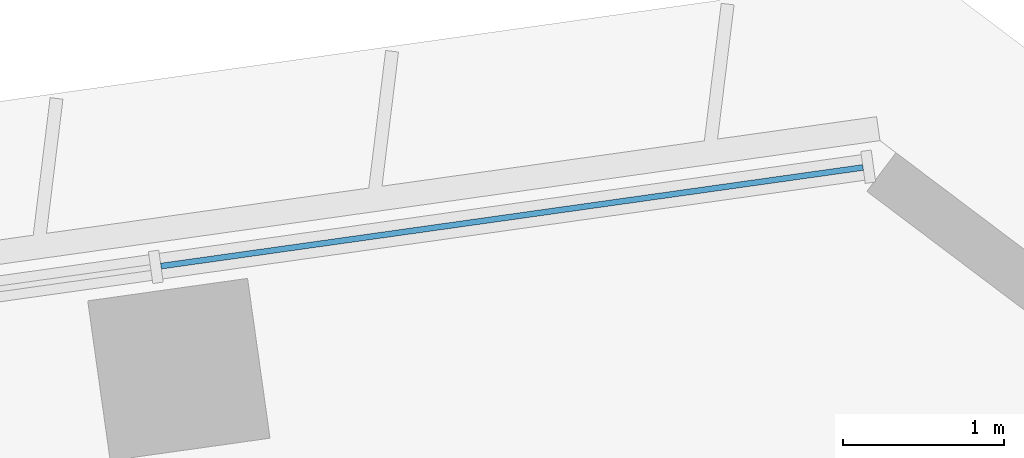
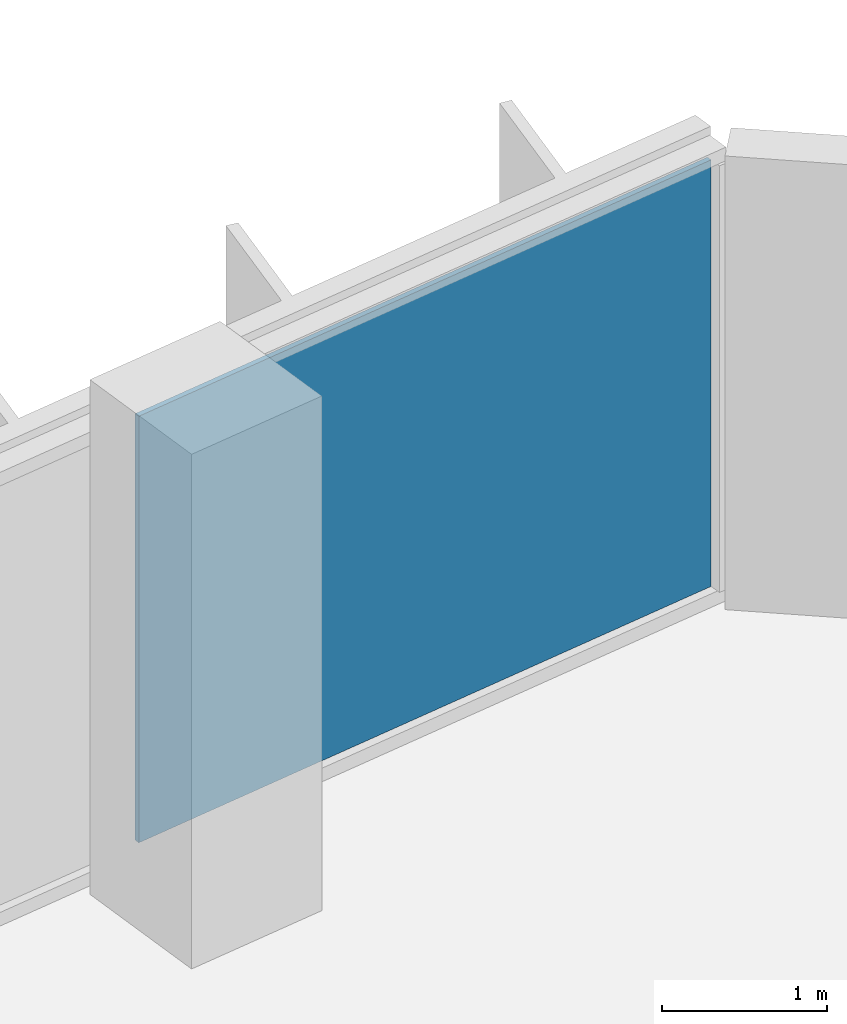
# One storey, part 13 of 24: 1 plate, 1 element without a shape of its own.
"""IFC4 building model written with IfcOpenShell, lengths in metres."""

import ifcopenshell
import ifcopenshell.guid

model = None  # the IFC model being written
_history = None  # IfcOwnerHistory: only IFC2X3 demands one
_inside = {}  # id of a spatial element -> (the spatial element, [elements in it])
_under = {}  # id of a project, library or spatial element -> (it, [spatial elements below it])
_declared = {}  # id of a project -> (the project, [libraries it declares])
_typed = {}  # id of a type object -> (the type object, [elements of that type])
_made_of = {}  # id of a material, layer set ... -> (it, [elements and type objects made of it])


def new_model(schema):
    """Start an empty IFC model of exactly this schema.

    Asked for "IFC4X3", IfcOpenShell would pick the latest addendum, in which some entities
    have other attributes; the version numbers below select the first issue.
    IFC2X3 requires an IfcOwnerHistory on every rooted entity: one is made here for all.
    """
    global model, _history
    if schema == "IFC4X3":
        model = ifcopenshell.file(schema_version=(4, 3, 0, 0))
    else:
        model = ifcopenshell.file(schema=schema)
    _inside.clear()
    _under.clear()
    _declared.clear()
    _typed.clear()
    _made_of.clear()
    _history = None
    if model.schema == "IFC2X3":
        org = make("IfcOrganization", Name="unknown")
        user = make(
            "IfcPersonAndOrganization",
            ThePerson=make("IfcPerson", FamilyName="unknown"),
            TheOrganization=org,
        )
        app = make(
            "IfcApplication",
            ApplicationDeveloper=org,
            Version="unknown",
            ApplicationFullName="unknown",
            ApplicationIdentifier="unknown",
        )
        _history = make(
            "IfcOwnerHistory",
            OwningUser=user,
            OwningApplication=app,
            ChangeAction="ADDED",
            CreationDate=0,
        )
    return model


def make(cls, **values):
    """One entity of the class cls with the attributes given. An attribute that is None is left unset."""
    return model.create_entity(
        cls, **{name: value for name, value in values.items() if value is not None}
    )


def rooted(cls, **values):
    """An entity with a GlobalId (a new one), such as an element, a storey or a relation."""
    return make(cls, GlobalId=ifcopenshell.guid.new(), OwnerHistory=_history, **values)


def si_unit(unit_type, name, prefix=None):
    """IfcSIUnit, for example si_unit("LENGTHUNIT", "METRE", prefix="MILLI")."""
    return make("IfcSIUnit", UnitType=unit_type, Prefix=prefix, Name=name)


def assignment(units):
    """IfcUnitAssignment: the units of a project."""
    return None if units is None else make("IfcUnitAssignment", Units=units)


def point(xyz):
    """IfcCartesianPoint."""
    return None if xyz is None else make("IfcCartesianPoint", Coordinates=xyz)


def direction(xyz):
    """IfcDirection."""
    return None if xyz is None else make("IfcDirection", DirectionRatios=xyz)


def frame(location, z_axis=None, x_axis=None):
    """IfcAxis2Placement3D, a coordinate frame: its origin and axes. An axis left out is left unset."""
    return make(
        "IfcAxis2Placement3D",
        Location=point(location),
        Axis=direction(z_axis),
        RefDirection=direction(x_axis),
    )


def frame_2d(location, x_axis=None):
    """IfcAxis2Placement2D, a coordinate frame in the plane: its origin and x axis."""
    return make(
        "IfcAxis2Placement2D", Location=point(location), RefDirection=direction(x_axis)
    )


def origin():
    """The frame at (0, 0, 0) with its axes left unset."""
    return frame((0.0, 0.0, 0.0))


def origin_2d():
    """The frame at (0, 0) in the plane with its x axis left unset."""
    return frame_2d((0.0, 0.0))


def place(relative_to, where):
    """IfcLocalPlacement: puts the frame where relative to a parent placement (None: the world)."""
    return make(
        "IfcLocalPlacement", PlacementRelTo=relative_to, RelativePlacement=where
    )


def context(
    kind, dimensions, precision=None, world=None, true_north=None, identifier=None
):
    """IfcGeometricRepresentationContext, for example the 3D "Model" context."""
    return make(
        "IfcGeometricRepresentationContext",
        ContextIdentifier=identifier,
        ContextType=kind,
        CoordinateSpaceDimension=dimensions,
        Precision=precision,
        WorldCoordinateSystem=world,
        TrueNorth=true_north,
    )


def subcontext(parent, identifier, kind, view, scale=None):
    """IfcGeometricRepresentationSubContext, for example "Body" below "Model"."""
    return make(
        "IfcGeometricRepresentationSubContext",
        ContextIdentifier=identifier,
        ContextType=kind,
        ParentContext=parent,
        TargetScale=scale,
        TargetView=view,
    )


def project(units=None, contexts=None):
    """IfcProject with its units and contexts."""
    return rooted(
        "IfcProject",
        Name="project",
        RepresentationContexts=contexts,
        UnitsInContext=assignment(units),
    )


def spatial(cls, under=None, at=None, **own):
    """A site, building, storey or space (cls), placed at a placement, below another one or the project."""
    s = rooted(cls, ObjectPlacement=at, **own)
    if under is not None:
        _under.setdefault(under.id(), (under, []))[1].append(s)
    return s


def profile(cls, at=None, kind="AREA", **sizes):
    """A parametric profile (cls). Its sizes go by their IFC names, for example OverallWidth=200.0."""
    return make(cls, ProfileType=kind, Position=at, **sizes)


def rectangle(**sizes):
    """IfcRectangleProfileDef."""
    return profile("IfcRectangleProfileDef", **sizes)


def extrude(swept, where, along, depth):
    """IfcExtrudedAreaSolid: the profile swept, set in the frame where, extruded along a direction by depth."""
    return make(
        "IfcExtrudedAreaSolid",
        SweptArea=swept,
        Position=where,
        ExtrudedDirection=direction(along),
        Depth=depth,
    )


def shape(context_of_items, identifier, shape_type, items):
    """IfcShapeRepresentation: the items that make up one representation, for example the "Body"."""
    return make(
        "IfcShapeRepresentation",
        ContextOfItems=context_of_items,
        RepresentationIdentifier=identifier,
        RepresentationType=shape_type,
        Items=items,
    )


def material(Name=None, Category=None):
    """IfcMaterial."""
    return make("IfcMaterial", Name=Name, Category=Category)


def layer(
    of_material, thickness, ventilated=None, Name=None, Category=None, Priority=None
):
    """IfcMaterialLayer: one layer of a wall or slab, of a material (None: an air gap)."""
    return make(
        "IfcMaterialLayer",
        Material=of_material,
        LayerThickness=thickness,
        IsVentilated=ventilated,
        Name=Name,
        Category=Category,
        Priority=Priority,
    )


def layer_set(layers, Name=None):
    """IfcMaterialLayerSet."""
    return make("IfcMaterialLayerSet", MaterialLayers=layers, LayerSetName=Name)


def made_of(thing, what):
    """Note that an element or type object is made of a material, layer set ...; save() writes the relation."""
    if what is not None:
        _made_of.setdefault(what.id(), (what, []))[1].append(thing)
    return thing


def type_object(cls, material=None, **own):
    """A type object (cls), such as IfcWallType, which elements share."""
    return made_of(rooted(cls, **own), material)


def element(
    cls,
    number,
    at=None,
    inside=None,
    cuts=None,
    type_object=None,
    material=None,
    context=None,
    identifier="Body",
    shape_type=None,
    held_by="IfcProductDefinitionShape",
    body=None,
    shapes=None,
    **own,
):
    """One element of the class cls, such as IfcWall. Its Tag is "e" and its number.

    at: its placement. inside: the storey or other place that contains it. cuts: it is an
    opening in that element (IfcRelVoidsElement). A single representation is given by context,
    identifier, shape_type and body (its items); several are given by shapes. held_by: the class
    of the entity that holds the representations. save() writes the other relations.
    """
    e = rooted(cls, Tag="e%d" % number, ObjectPlacement=at, **own)
    if body is not None:
        shapes = [shape(context, identifier, shape_type, body)]
    if shapes is not None:
        e.Representation = make(held_by, Representations=shapes)
    if inside is not None:
        _inside.setdefault(inside.id(), (inside, []))[1].append(e)
    if cuts is not None:
        rooted(
            "IfcRelVoidsElement", RelatingBuildingElement=cuts, RelatedOpeningElement=e
        )
    if type_object is not None:
        _typed.setdefault(type_object.id(), (type_object, []))[1].append(e)
    return made_of(e, material)


def aggregate(whole, parts):
    """IfcRelAggregates: a whole, such as a stair, and the parts it consists of."""
    return rooted("IfcRelAggregates", RelatingObject=whole, RelatedObjects=parts)


def save(model, path):
    """Write the relations noted so far, then the file.

    IfcRelAggregates (storeys below a building ...), IfcRelContainedInSpatialStructure (elements
    in a storey), IfcRelDefinesByType, IfcRelAssociatesMaterial and IfcRelDeclares: one each for
    every whole, place, type object, material and project.
    """
    for whole, parts in _under.values():
        aggregate(whole, parts)
    for where, things in _inside.values():
        rooted(
            "IfcRelContainedInSpatialStructure",
            RelatedElements=things,
            RelatingStructure=where,
        )
    for kind, things in _typed.values():
        rooted("IfcRelDefinesByType", RelatedObjects=things, RelatingType=kind)
    for what, things in _made_of.values():
        rooted("IfcRelAssociatesMaterial", RelatedObjects=things, RelatingMaterial=what)
    for by, libraries in _declared.values():
        rooted("IfcRelDeclares", RelatingContext=by, RelatedDefinitions=libraries)
    model.write(path)


model = new_model("IFC4")

# Units and contexts
model_context = context("Model", 3, precision=1e-05, world=origin(), true_north=direction((0.0, 1.0)))
body_context = subcontext(model_context, "Body", "Model", "MODEL_VIEW")
ifc_project = project(units=[si_unit("LENGTHUNIT", "METRE"), si_unit("AREAUNIT", "SQUARE_METRE"), si_unit("VOLUMEUNIT", "CUBIC_METRE"), si_unit("PLANEANGLEUNIT", "RADIAN"), si_unit("MASSUNIT", "GRAM", prefix="KILO")], contexts=[model_context])

# Site, building, storey
site_placement = place(None, origin())
site = spatial("IfcSite", under=ifc_project, at=site_placement, CompositionType="ELEMENT")
building_placement = place(site_placement, origin())
building = spatial("IfcBuilding", under=site, at=building_placement, Name="Mirante Cascada Hotel Towers", CompositionType="ELEMENT")
storey_placement = place(building_placement, frame((0.0, 0.0, 77.5)))
storey = spatial("IfcBuildingStorey", under=building, at=storey_placement, Name="L16", CompositionType="ELEMENT", Elevation=77.5)

# Curtain wall, plate
ifc_material_1 = material(Name="Aluminium mullion and transom frame with clear laminated glass", Category="aluminium")
curtain_wall_type = type_object("IfcCurtainWallType", Name="Ribbon curtain wall ECW1", PredefinedType="NOTDEFINED", material=ifc_material_1)
curtain_wall_placement = place(storey_placement, origin())
curtain_wall = element("IfcCurtainWall", 1, at=curtain_wall_placement, inside=storey, type_object=curtain_wall_type, Name="Front ribbon wall T2 L16", PredefinedType="NOTDEFINED")
ifc_material_2 = material(Name="Clear laminated glass", Category="glass")
ifc_layer = layer(ifc_material_2, 0.036)
ifc_layer_set = layer_set([ifc_layer], Name="ECW1 glass panel 36")
plate_type = type_object("IfcPlateType", Name="ECW1 glass panel 36", PredefinedType="CURTAIN_PANEL", material=ifc_layer_set)
plate_placement = place(storey_placement, frame((91.9184, 25.7373, 0.1), z_axis=(0.0, 0.0, 1.0), x_axis=(-0.9902681, -0.1391731, 0.0)))
plate = element("IfcPlate", 2, at=plate_placement, type_object=plate_type, Name="ECW1 panel 1", PredefinedType="CURTAIN_PANEL", context=body_context, shape_type="SweptSolid", body=[
    extrude(rectangle(XDim=4.3936, YDim=0.036, at=origin_2d()), origin(), (0.0, 0.0, 1.0), 3.15),
])
aggregate(curtain_wall, [plate])

save(model, "model.ifc")
